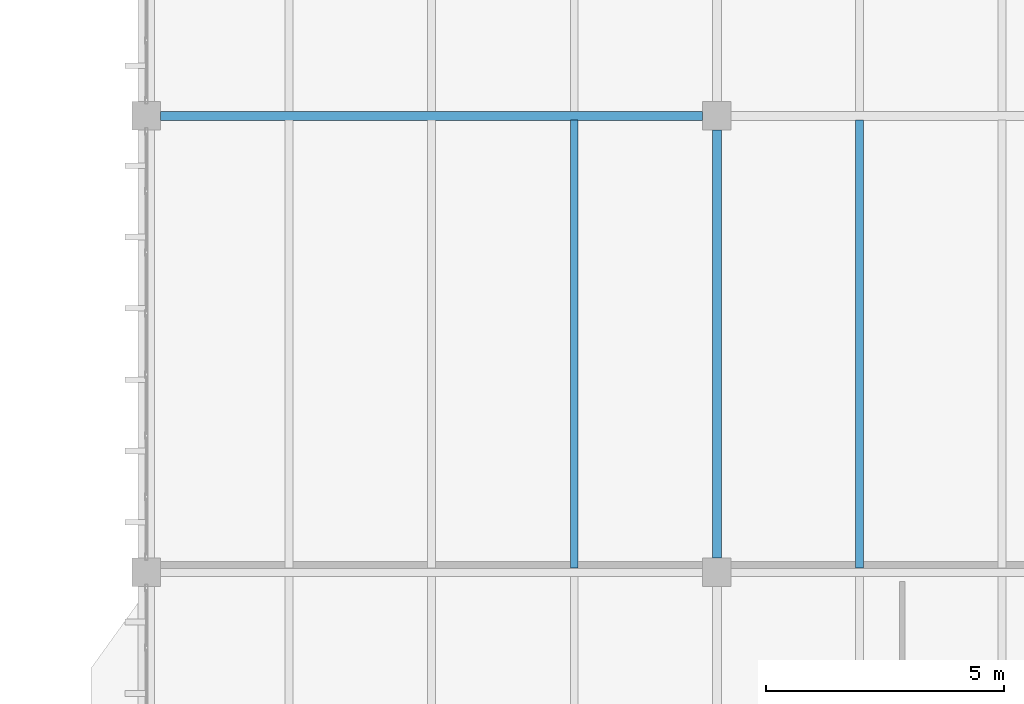
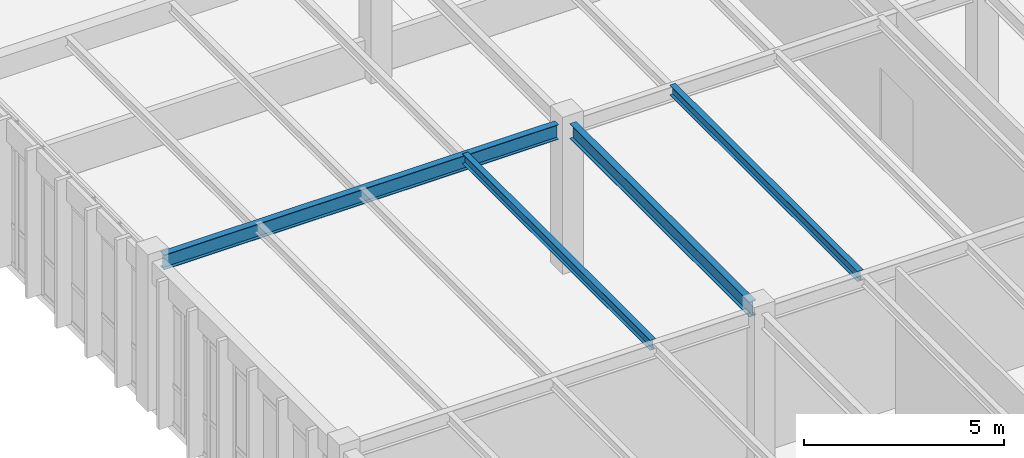
# One storey, part 163 of 236: 4 beams.
"""IFC4 building model written with IfcOpenShell, lengths in metres."""

from ifc_helpers import new_model, si_unit, direction, frame, origin, origin_2d, place, context, subcontext, project, spatial, i_section, extrude, material, material_profile, profile_set, type_object, element, save


model = new_model("IFC4")

# Units and contexts
model_context = context("Model", 3, precision=1e-05, world=origin(), true_north=direction((0.0, 1.0)))
body_context = subcontext(model_context, "Body", "Model", "MODEL_VIEW")
ifc_project = project(units=[si_unit("LENGTHUNIT", "METRE"), si_unit("AREAUNIT", "SQUARE_METRE"), si_unit("VOLUMEUNIT", "CUBIC_METRE"), si_unit("PLANEANGLEUNIT", "RADIAN"), si_unit("MASSUNIT", "GRAM", prefix="KILO")], contexts=[model_context])

# Site, building, storey
site_placement = place(None, origin())
site = spatial("IfcSite", under=ifc_project, at=site_placement, CompositionType="ELEMENT")
building_placement = place(site_placement, origin())
building = spatial("IfcBuilding", under=site, at=building_placement, Name="Pandanus Reach Market Hall", CompositionType="ELEMENT")
storey_placement = place(building_placement, frame((0.0, 0.0, 5.39990234375)))
storey = spatial("IfcBuildingStorey", under=building, at=storey_placement, Name="L01", CompositionType="ELEMENT", Elevation=5.39990234375)

# Beams
ifc_material = material(Name="Steel Grade 350 (350 MPa)", Category="steel")
ifc_material_profile_1 = material_profile(ifc_material, i_section(OverallWidth=0.18994140625, OverallDepth=0.45703125, WebThickness=0.009033203125, FlangeThickness=0.014404296875, at=origin_2d()), Name="460UB74.6", Category="LoadBearing")
ifc_profile_set_1 = profile_set([ifc_material_profile_1], Name="Steel Grade 350 (350 MPa)")
beam_type_1 = type_object("IfcBeamType", Name="BM-UB460-I", PredefinedType="BEAM", material=ifc_profile_set_1)
beam_1_placement = place(storey_placement, frame((144.298095703125, 86.39990234375, 4.231201171875), z_axis=(1.0, 0.0, 0.0), x_axis=(0.0, 1.0, 0.0)))
element("IfcBeam", 1, at=beam_1_placement, inside=storey, type_object=beam_type_1, Name="Framing beam BM-UB460-I L01.330", PredefinedType="BEAM", context=body_context, shape_type="SweptSolid", body=[
    extrude(i_section(OverallWidth=0.18994140625, OverallDepth=0.45703125, WebThickness=0.009033203125, FlangeThickness=0.014404296875, at=origin_2d()), origin(), (0.0, 0.0, 1.0), 11.40380859375),
])
beam_2_placement = place(storey_placement, frame((156.0, 77.097900390625, 4.311279296875), z_axis=(0.0, 1.0, 0.0), x_axis=(-1.0, 0.0, 0.0)))
element("IfcBeam", 2, at=beam_2_placement, inside=storey, type_object=beam_type_1, Name="Framing beam BM-UB460-I L01.352", PredefinedType="BEAM", context=body_context, shape_type="SweptSolid", body=[
    extrude(i_section(OverallWidth=0.18994140625, OverallDepth=0.45703125, WebThickness=0.009033203125, FlangeThickness=0.014404296875, at=origin_2d()), origin(), (0.0, 0.0, 1.0), 9.004150390625),
])
ifc_material_profile_2 = material_profile(ifc_material, i_section(OverallWidth=0.166015625, OverallDepth=0.306884765625, WebThickness=0.006591796875, FlangeThickness=0.01171875, at=origin_2d()), Name="310UB46.2", Category="LoadBearing")
ifc_profile_set_2 = profile_set([ifc_material_profile_2], Name="Steel Grade 350 (350 MPa)")
beam_type_2 = type_object("IfcBeamType", Name="JS-UB310H-I", PredefinedType="JOIST", material=ifc_profile_set_2)
for number, where, z_axis, x_axis, name in (
    (3, (153.0, 76.89306640625, 4.38623046875), (0.0, 1.0, 0.0), (-1.0, 0.0, 0.0), "Secondary joist JS-UB310H-I L01.392"),
    (4, (159.0, 76.89306640625, 4.38623046875), (0.0, 1.0, 0.0), (-1.0, 0.0, 0.0), "Secondary joist JS-UB310H-I L01.410"),
):
    element("IfcBeam", number, at=place(storey_placement, frame(where, z_axis=z_axis, x_axis=x_axis)), inside=storey, type_object=beam_type_2, Name=name, PredefinedType="JOIST", context=body_context, shape_type="SweptSolid", body=[
        extrude(i_section(OverallWidth=0.166015625, OverallDepth=0.306884765625, WebThickness=0.006591796875, FlangeThickness=0.01171875, at=origin_2d()), origin(), (0.0, 0.0, 1.0), 9.413818359375),
    ])

save(model, "model.ifc")
